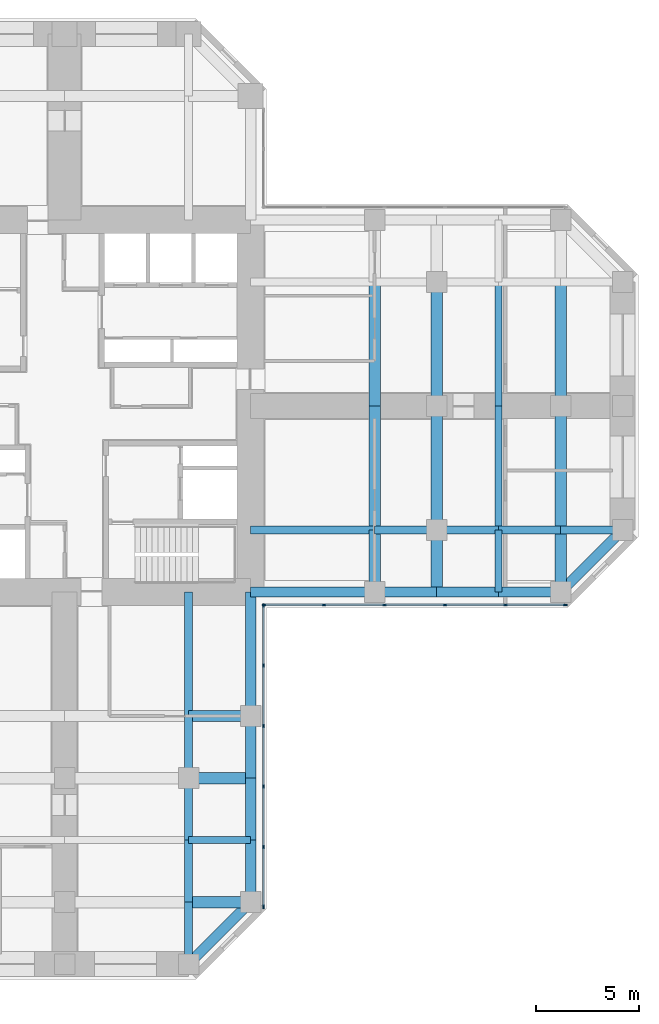
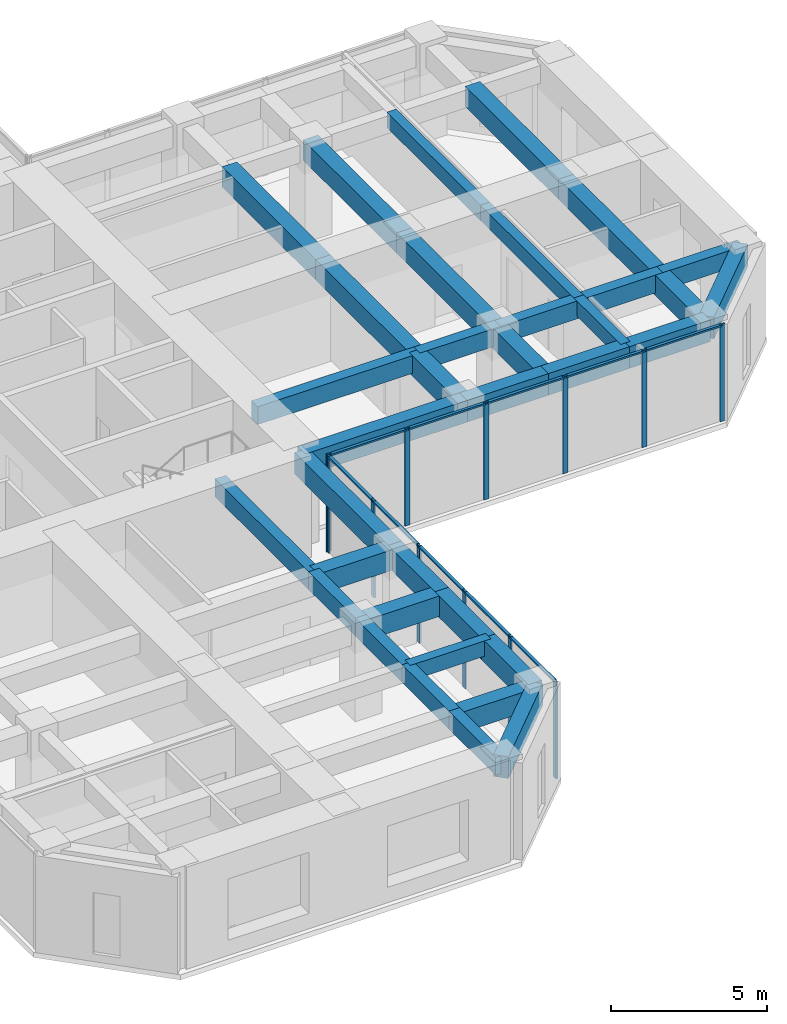
# One storey, part 4 of 12: 36 beams, 22 members, 2 elements without a shape of their own.
"""IFC4 building model written with IfcOpenShell, lengths in metres."""

from ifc_helpers import new_model, si_unit, direction, frame, origin, origin_2d, place, context, subcontext, project, spatial, rectangle, extrude, material, material_profile, profile_set, type_object, element, aggregate, save


model = new_model("IFC4")

# Units and contexts
model_context = context("Model", 3, precision=1e-05, world=origin(), true_north=direction((0.0, 1.0)))
body_context = subcontext(model_context, "Body", "Model", "MODEL_VIEW")
ifc_project = project(units=[si_unit("LENGTHUNIT", "METRE"), si_unit("AREAUNIT", "SQUARE_METRE"), si_unit("VOLUMEUNIT", "CUBIC_METRE"), si_unit("PLANEANGLEUNIT", "RADIAN"), si_unit("MASSUNIT", "GRAM", prefix="KILO")], contexts=[model_context])

# Site, building, storey
site_placement = place(None, origin())
site = spatial("IfcSite", under=ifc_project, at=site_placement, CompositionType="ELEMENT")
building_placement = place(site_placement, origin())
building = spatial("IfcBuilding", under=site, at=building_placement, Name="Torre Cruceta", CompositionType="ELEMENT")
storey_placement = place(building_placement, frame((0.0, 0.0, 108.5)))
storey = spatial("IfcBuildingStorey", under=building, at=storey_placement, Name="L26", CompositionType="ELEMENT", Elevation=108.5)

# Beams
ifc_material_1 = material(Name="Concrete G60 (fck 60 MPa)", Category="concrete")
ifc_material_profile_1 = material_profile(ifc_material_1, rectangle(XDim=0.39990234375, YDim=0.699951171875, at=origin_2d()), Name="RC 400X700")
ifc_profile_set_1 = profile_set([ifc_material_profile_1], Name="Concrete G60 (fck 60 MPa)")
beam_type_1 = type_object("IfcBeamType", Name="COLUMN LINE BEAM RC 400X700", PredefinedType="BEAM", material=ifc_profile_set_1)
beam_1_placement = place(storey_placement, frame((9.0, -6.0, 3.449951171875), z_axis=(1.0, 0.0, 0.0), x_axis=(0.0, 1.0, 0.0)))
element("IfcBeam", 1, at=beam_1_placement, inside=storey, type_object=beam_type_1, Name="LB5 L26 E col- 1", PredefinedType="BEAM", context=body_context, shape_type="SweptSolid", body=[
    extrude(rectangle(XDim=0.39990234375, YDim=0.699951171875, at=origin_2d()), origin(), (0.0, 0.0, 1.0), 6.0),
])
for number, where, z_axis, x_axis, name in (
    (2, (15.0, -6.0, 3.449951171875), (1.0, 0.0, 0.0), (0.0, 1.0, 0.0), "LB5 L26 E col- 2"),
    (3, (18.0, -6.0, 3.449951171875), (1.0, 0.0, 0.0), (0.0, 1.0, 0.0), "LB5 L26 E col- 3"),
    (4, (21.0, -6.0, 3.449951171875), (1.0, 0.0, 0.0), (0.0, 1.0, 0.0), "LB5 L26 E col- 4"),
    (5, (24.0, -6.0, 3.449951171875), (1.0, 0.0, 0.0), (0.0, 1.0, 0.0), "LB5 L26 E col- 5"),
):
    element("IfcBeam", number, at=place(storey_placement, frame(where, z_axis=z_axis, x_axis=x_axis)), inside=storey, type_object=beam_type_1, Name=name, PredefinedType="BEAM", context=body_context, shape_type="SweptSolid", body=[
        extrude(rectangle(XDim=0.39990234375, YDim=0.699951171875, at=origin_2d()), origin(), (0.0, 0.0, 1.0), 3.0),
    ])
beam_2_placement = place(storey_placement, frame((6.0, -9.0, 3.449951171875), z_axis=(0.0, -1.0, 0.0), x_axis=(1.0, 0.0, 0.0)))
element("IfcBeam", 6, at=beam_2_placement, inside=storey, type_object=beam_type_1, Name="LB5 L26 S col+ 1", PredefinedType="BEAM", context=body_context, shape_type="SweptSolid", body=[
    extrude(rectangle(XDim=0.39990234375, YDim=0.699951171875, at=origin_2d()), origin(), (0.0, 0.0, 1.0), 6.0),
])
for number, where, z_axis, x_axis, name in (
    (7, (6.0, -15.0, 3.449951171875), (0.0, -1.0, 0.0), (1.0, 0.0, 0.0), "LB5 L26 S col+ 2"),
    (8, (6.0, -18.0, 3.449951171875), (0.0, -1.0, 0.0), (1.0, 0.0, 0.0), "LB5 L26 S col+ 3"),
    (9, (6.0, -21.0, 3.449951171875), (0.0, -1.0, 0.0), (1.0, 0.0, 0.0), "LB5 L26 S col+ 4"),
    (10, (6.0, -24.0, 3.449951171875), (0.0, -1.0, 0.0), (1.0, 0.0, 0.0), "LB5 L26 S col+ 5"),
):
    element("IfcBeam", number, at=place(storey_placement, frame(where, z_axis=z_axis, x_axis=x_axis)), inside=storey, type_object=beam_type_1, Name=name, PredefinedType="BEAM", context=body_context, shape_type="SweptSolid", body=[
        extrude(rectangle(XDim=0.39990234375, YDim=0.699951171875, at=origin_2d()), origin(), (0.0, 0.0, 1.0), 3.0),
    ])
ifc_material_2 = material(Name="Concrete G60 (fck 60 MPa)", Category="concrete")
ifc_material_profile_2 = material_profile(ifc_material_2, rectangle(XDim=0.550048828125, YDim=0.800048828125, at=origin_2d()), Name="RC 550X800")
ifc_profile_set_2 = profile_set([ifc_material_profile_2], Name="Concrete G60 (fck 60 MPa)")
beam_type_2 = type_object("IfcBeamType", Name="CROSS BEAM RC 550X800", PredefinedType="BEAM", material=ifc_profile_set_2)
beam_3_placement = place(storey_placement, frame((15.0, -9.0, 3.39990234375), z_axis=(0.0, 1.0, 0.0), x_axis=(-1.0, 0.0, 0.0)))
element("IfcBeam", 11, at=beam_3_placement, inside=storey, type_object=beam_type_2, Name="GB5 L26 E cross15 1", PredefinedType="BEAM", context=body_context, shape_type="SweptSolid", body=[
    extrude(rectangle(XDim=0.550048828125, YDim=0.800048828125, at=origin_2d()), origin(), (0.0, 0.0, 1.0), 3.0),
])
for number, where, z_axis, x_axis, name in (
    (12, (15.0, -6.0, 3.39990234375), (0.0, 1.0, 0.0), (-1.0, 0.0, 0.0), "GB5 L26 E cross15 2"),
    (13, (15.0, 0.0, 3.39990234375), (0.0, 1.0, 0.0), (-1.0, 0.0, 0.0), "GB5 L26 E cross15 3"),
):
    element("IfcBeam", number, at=place(storey_placement, frame(where, z_axis=z_axis, x_axis=x_axis)), inside=storey, type_object=beam_type_2, Name=name, PredefinedType="BEAM", context=body_context, shape_type="SweptSolid", body=[
        extrude(rectangle(XDim=0.550048828125, YDim=0.800048828125, at=origin_2d()), origin(), (0.0, 0.0, 1.0), 6.0),
    ])
beam_4_placement = place(storey_placement, frame((18.0, -9.0, 3.39990234375), z_axis=(0.0, 1.0, 0.0), x_axis=(-1.0, 0.0, 0.0)))
element("IfcBeam", 14, at=beam_4_placement, inside=storey, type_object=beam_type_2, Name="GB5 L26 E cross18 1", PredefinedType="BEAM", context=body_context, shape_type="SweptSolid", body=[
    extrude(rectangle(XDim=0.550048828125, YDim=0.800048828125, at=origin_2d()), origin(), (0.0, 0.0, 1.0), 3.0),
])
for number, where, z_axis, x_axis, name in (
    (15, (18.0, -6.0, 3.39990234375), (0.0, 1.0, 0.0), (-1.0, 0.0, 0.0), "GB5 L26 E cross18 2"),
    (16, (18.0, 0.0, 3.39990234375), (0.0, 1.0, 0.0), (-1.0, 0.0, 0.0), "GB5 L26 E cross18 3"),
):
    element("IfcBeam", number, at=place(storey_placement, frame(where, z_axis=z_axis, x_axis=x_axis)), inside=storey, type_object=beam_type_2, Name=name, PredefinedType="BEAM", context=body_context, shape_type="SweptSolid", body=[
        extrude(rectangle(XDim=0.550048828125, YDim=0.800048828125, at=origin_2d()), origin(), (0.0, 0.0, 1.0), 6.0),
    ])
beam_5_placement = place(storey_placement, frame((24.0, -9.0, 3.39990234375), z_axis=(0.0, 1.0, 0.0), x_axis=(-1.0, 0.0, 0.0)))
element("IfcBeam", 17, at=beam_5_placement, inside=storey, type_object=beam_type_2, Name="GB5 L26 E cross24 1", PredefinedType="BEAM", context=body_context, shape_type="SweptSolid", body=[
    extrude(rectangle(XDim=0.550048828125, YDim=0.800048828125, at=origin_2d()), origin(), (0.0, 0.0, 1.0), 3.0),
])
for number, where, z_axis, x_axis, name in (
    (18, (24.0, -6.0, 3.39990234375), (0.0, 1.0, 0.0), (-1.0, 0.0, 0.0), "GB5 L26 E cross24 2"),
    (19, (24.0, 0.0, 3.39990234375), (0.0, 1.0, 0.0), (-1.0, 0.0, 0.0), "GB5 L26 E cross24 3"),
):
    element("IfcBeam", number, at=place(storey_placement, frame(where, z_axis=z_axis, x_axis=x_axis)), inside=storey, type_object=beam_type_2, Name=name, PredefinedType="BEAM", context=body_context, shape_type="SweptSolid", body=[
        extrude(rectangle(XDim=0.550048828125, YDim=0.800048828125, at=origin_2d()), origin(), (0.0, 0.0, 1.0), 6.0),
    ])
for number, where, z_axis, x_axis, name in (
    (20, (6.0, -15.0, 3.39990234375), (1.0, 0.0, 0.0), (0.0, 1.0, 0.0), "GB5 L26 S cross15 4"),
    (21, (6.0, -18.0, 3.39990234375), (1.0, 0.0, 0.0), (0.0, 1.0, 0.0), "GB5 L26 S cross18 4"),
    (22, (6.0, -24.0, 3.39990234375), (1.0, 0.0, 0.0), (0.0, 1.0, 0.0), "GB5 L26 S cross24 4"),
):
    element("IfcBeam", number, at=place(storey_placement, frame(where, z_axis=z_axis, x_axis=x_axis)), inside=storey, type_object=beam_type_2, Name=name, PredefinedType="BEAM", context=body_context, shape_type="SweptSolid", body=[
        extrude(rectangle(XDim=0.550048828125, YDim=0.800048828125, at=origin_2d()), origin(), (0.0, 0.0, 1.0), 3.0),
    ])

# Curtain wall, members
ifc_material_3 = material(Name="Aluminium unitised curtain wall", Category="aluminium")
curtain_wall_type = type_object("IfcCurtainWallType", Name="CURTAIN WALL CW-B OFFICE MID RISE", PredefinedType="USERDEFINED", material=ifc_material_3)
curtain_wall_1_placement = place(storey_placement, origin())
curtain_wall_1 = element("IfcCurtainWall", 23, at=curtain_wall_1_placement, inside=storey, type_object=curtain_wall_type, Name="CW-B L26 E side 00", ObjectType="UNITISED", PredefinedType="USERDEFINED")
ifc_material_4 = material(Name="Aluminium mullion", Category="aluminium")
ifc_material_profile_3 = material_profile(ifc_material_4, rectangle(XDim=0.06494140625, YDim=0.179931640625, at=origin_2d()), Name="AL 65X180")
ifc_profile_set_3 = profile_set([ifc_material_profile_3], Name="Aluminium mullion")
member_type_1 = type_object("IfcMemberType", Name="CW-B MULLION 65X180", PredefinedType="MULLION", material=ifc_profile_set_3)
member_1_placement = place(storey_placement, frame((9.652587890625, -9.6201171875, 0.0), z_axis=(0.0, 0.0, 1.0), x_axis=(0.0, 1.0, 0.0)))
member_1 = element("IfcMember", 24, at=member_1_placement, type_object=member_type_1, Name="CW-B mullion 1", PredefinedType="MULLION", context=body_context, shape_type="SweptSolid", body=[
    extrude(rectangle(XDim=0.06494140625, YDim=0.179931640625, at=origin_2d()), origin(), (0.0, 0.0, 1.0), 3.800048828125),
])
member_2_placement = place(storey_placement, frame((12.54736328125, -9.6201171875, 0.0), z_axis=(0.0, 0.0, 1.0), x_axis=(0.0, 1.0, 0.0)))
member_2 = element("IfcMember", 25, at=member_2_placement, type_object=member_type_1, Name="CW-B mullion 2", PredefinedType="MULLION", context=body_context, shape_type="SweptSolid", body=[
    extrude(rectangle(XDim=0.06494140625, YDim=0.179931640625, at=origin_2d()), origin(), (0.0, 0.0, 1.0), 3.800048828125),
])
member_3_placement = place(storey_placement, frame((15.474609375, -9.6201171875, 0.0), z_axis=(0.0, 0.0, 1.0), x_axis=(0.0, 1.0, 0.0)))
member_3 = element("IfcMember", 26, at=member_3_placement, type_object=member_type_1, Name="CW-B mullion 3", PredefinedType="MULLION", context=body_context, shape_type="SweptSolid", body=[
    extrude(rectangle(XDim=0.06494140625, YDim=0.179931640625, at=origin_2d()), origin(), (0.0, 0.0, 1.0), 3.800048828125),
])
member_4_placement = place(storey_placement, frame((18.402099609375, -9.6201171875, 0.0), z_axis=(0.0, 0.0, 1.0), x_axis=(0.0, 1.0, 0.0)))
member_4 = element("IfcMember", 27, at=member_4_placement, type_object=member_type_1, Name="CW-B mullion 4", PredefinedType="MULLION", context=body_context, shape_type="SweptSolid", body=[
    extrude(rectangle(XDim=0.06494140625, YDim=0.179931640625, at=origin_2d()), origin(), (0.0, 0.0, 1.0), 3.800048828125),
])
member_5_placement = place(storey_placement, frame((21.329345703125, -9.6201171875, 0.0), z_axis=(0.0, 0.0, 1.0), x_axis=(0.0, 1.0, 0.0)))
member_5 = element("IfcMember", 28, at=member_5_placement, type_object=member_type_1, Name="CW-B mullion 5", PredefinedType="MULLION", context=body_context, shape_type="SweptSolid", body=[
    extrude(rectangle(XDim=0.06494140625, YDim=0.179931640625, at=origin_2d()), origin(), (0.0, 0.0, 1.0), 3.800048828125),
])
member_6_placement = place(storey_placement, frame((24.224365234375, -9.6201171875, 0.0), z_axis=(0.0, 0.0, 1.0), x_axis=(0.0, 1.0, 0.0)))
member_6 = element("IfcMember", 29, at=member_6_placement, type_object=member_type_1, Name="CW-B mullion 6", PredefinedType="MULLION", context=body_context, shape_type="SweptSolid", body=[
    extrude(rectangle(XDim=0.06494140625, YDim=0.179931640625, at=origin_2d()), origin(), (0.0, 0.0, 1.0), 3.800048828125),
])

curtain_wall_2_placement = place(storey_placement, origin())
curtain_wall_2 = element("IfcCurtainWall", 30, at=curtain_wall_2_placement, inside=storey, type_object=curtain_wall_type, Name="CW-B L26 S side 19", ObjectType="UNITISED", PredefinedType="USERDEFINED")
member_7_placement = place(storey_placement, frame((9.6201171875, -24.224365234375, 0.0), z_axis=(0.0, 0.0, 1.0), x_axis=(-1.0, 0.0, 0.0)))
member_7 = element("IfcMember", 31, at=member_7_placement, type_object=member_type_1, Name="CW-B mullion 1", PredefinedType="MULLION", context=body_context, shape_type="SweptSolid", body=[
    extrude(rectangle(XDim=0.06494140625, YDim=0.179931640625, at=origin_2d()), origin(), (0.0, 0.0, 1.0), 3.800048828125),
])
member_8_placement = place(storey_placement, frame((9.6201171875, -21.329345703125, 0.0), z_axis=(0.0, 0.0, 1.0), x_axis=(-1.0, 0.0, 0.0)))
member_8 = element("IfcMember", 32, at=member_8_placement, type_object=member_type_1, Name="CW-B mullion 2", PredefinedType="MULLION", context=body_context, shape_type="SweptSolid", body=[
    extrude(rectangle(XDim=0.06494140625, YDim=0.179931640625, at=origin_2d()), origin(), (0.0, 0.0, 1.0), 3.800048828125),
])
member_9_placement = place(storey_placement, frame((9.6201171875, -18.402099609375, 0.0), z_axis=(0.0, 0.0, 1.0), x_axis=(-1.0, 0.0, 0.0)))
member_9 = element("IfcMember", 33, at=member_9_placement, type_object=member_type_1, Name="CW-B mullion 3", PredefinedType="MULLION", context=body_context, shape_type="SweptSolid", body=[
    extrude(rectangle(XDim=0.06494140625, YDim=0.179931640625, at=origin_2d()), origin(), (0.0, 0.0, 1.0), 3.800048828125),
])
member_10_placement = place(storey_placement, frame((9.6201171875, -15.474609375, 0.0), z_axis=(0.0, 0.0, 1.0), x_axis=(-1.0, 0.0, 0.0)))
member_10 = element("IfcMember", 34, at=member_10_placement, type_object=member_type_1, Name="CW-B mullion 4", PredefinedType="MULLION", context=body_context, shape_type="SweptSolid", body=[
    extrude(rectangle(XDim=0.06494140625, YDim=0.179931640625, at=origin_2d()), origin(), (0.0, 0.0, 1.0), 3.800048828125),
])
member_11_placement = place(storey_placement, frame((9.6201171875, -12.54736328125, 0.0), z_axis=(0.0, 0.0, 1.0), x_axis=(-1.0, 0.0, 0.0)))
member_11 = element("IfcMember", 35, at=member_11_placement, type_object=member_type_1, Name="CW-B mullion 5", PredefinedType="MULLION", context=body_context, shape_type="SweptSolid", body=[
    extrude(rectangle(XDim=0.06494140625, YDim=0.179931640625, at=origin_2d()), origin(), (0.0, 0.0, 1.0), 3.800048828125),
])
member_12_placement = place(storey_placement, frame((9.6201171875, -9.652587890625, 0.0), z_axis=(0.0, 0.0, 1.0), x_axis=(-1.0, 0.0, 0.0)))
member_12 = element("IfcMember", 36, at=member_12_placement, type_object=member_type_1, Name="CW-B mullion 6", PredefinedType="MULLION", context=body_context, shape_type="SweptSolid", body=[
    extrude(rectangle(XDim=0.06494140625, YDim=0.179931640625, at=origin_2d()), origin(), (0.0, 0.0, 1.0), 3.800048828125),
])

# Member
ifc_material_5 = material(Name="Aluminium transom", Category="aluminium")
ifc_material_profile_4 = material_profile(ifc_material_5, rectangle(XDim=0.110107421875, YDim=0.06494140625, at=origin_2d()), Name="AL 110X65")
ifc_profile_set_4 = profile_set([ifc_material_profile_4], Name="Aluminium transom")
member_type_2 = type_object("IfcMemberType", Name="CW-B TRANSOM 65X110", PredefinedType="USERDEFINED", material=ifc_profile_set_4)
member_13_placement = place(storey_placement, frame((9.68505859375, -9.6201171875, 3.767578125), z_axis=(1.0, 0.0, 0.0), x_axis=(0.0, 1.0, 0.0)))
member_13 = element("IfcMember", 37, at=member_13_placement, type_object=member_type_2, Name="CW-B transom 1", ObjectType="TRANSOM", PredefinedType="USERDEFINED", context=body_context, shape_type="SweptSolid", body=[
    extrude(rectangle(XDim=0.110107421875, YDim=0.06494140625, at=origin_2d()), origin(), (0.0, 0.0, 1.0), 2.829833984375),
])

member_14_placement = place(storey_placement, frame((12.579833984375, -9.6201171875, 3.767578125), z_axis=(1.0, 0.0, 0.0), x_axis=(0.0, 1.0, 0.0)))
member_14 = element("IfcMember", 38, at=member_14_placement, type_object=member_type_2, Name="CW-B transom 2", ObjectType="TRANSOM", PredefinedType="USERDEFINED", context=body_context, shape_type="SweptSolid", body=[
    extrude(rectangle(XDim=0.110107421875, YDim=0.06494140625, at=origin_2d()), origin(), (0.0, 0.0, 1.0), 2.8623046875),
])

member_15_placement = place(storey_placement, frame((15.50732421875, -9.6201171875, 3.767578125), z_axis=(1.0, 0.0, 0.0), x_axis=(0.0, 1.0, 0.0)))
member_15 = element("IfcMember", 39, at=member_15_placement, type_object=member_type_2, Name="CW-B transom 3", ObjectType="TRANSOM", PredefinedType="USERDEFINED", context=body_context, shape_type="SweptSolid", body=[
    extrude(rectangle(XDim=0.110107421875, YDim=0.06494140625, at=origin_2d()), origin(), (0.0, 0.0, 1.0), 2.8623046875),
])

member_16_placement = place(storey_placement, frame((18.4345703125, -9.6201171875, 3.767578125), z_axis=(1.0, 0.0, 0.0), x_axis=(0.0, 1.0, 0.0)))
member_16 = element("IfcMember", 40, at=member_16_placement, type_object=member_type_2, Name="CW-B transom 4", ObjectType="TRANSOM", PredefinedType="USERDEFINED", context=body_context, shape_type="SweptSolid", body=[
    extrude(rectangle(XDim=0.110107421875, YDim=0.06494140625, at=origin_2d()), origin(), (0.0, 0.0, 1.0), 2.8623046875),
])

member_17_placement = place(storey_placement, frame((21.362060546875, -9.6201171875, 3.767578125), z_axis=(1.0, 0.0, 0.0), x_axis=(0.0, 1.0, 0.0)))
member_17 = element("IfcMember", 41, at=member_17_placement, type_object=member_type_2, Name="CW-B transom 5", ObjectType="TRANSOM", PredefinedType="USERDEFINED", context=body_context, shape_type="SweptSolid", body=[
    extrude(rectangle(XDim=0.110107421875, YDim=0.06494140625, at=origin_2d()), origin(), (0.0, 0.0, 1.0), 2.829833984375),
])

aggregate(curtain_wall_1, [member_1, member_2, member_3, member_4, member_5, member_6, member_13, member_14, member_15, member_16, member_17])

member_18_placement = place(storey_placement, frame((9.6201171875, -24.19189453125, 3.767578125), z_axis=(0.0, 1.0, 0.0), x_axis=(-1.0, 0.0, 0.0)))
member_18 = element("IfcMember", 42, at=member_18_placement, type_object=member_type_2, Name="CW-B transom 1", ObjectType="TRANSOM", PredefinedType="USERDEFINED", context=body_context, shape_type="SweptSolid", body=[
    extrude(rectangle(XDim=0.110107421875, YDim=0.06494140625, at=origin_2d()), origin(), (0.0, 0.0, 1.0), 2.829833984375),
])

member_19_placement = place(storey_placement, frame((9.6201171875, -21.296875, 3.767578125), z_axis=(0.0, 1.0, 0.0), x_axis=(-1.0, 0.0, 0.0)))
member_19 = element("IfcMember", 43, at=member_19_placement, type_object=member_type_2, Name="CW-B transom 2", ObjectType="TRANSOM", PredefinedType="USERDEFINED", context=body_context, shape_type="SweptSolid", body=[
    extrude(rectangle(XDim=0.110107421875, YDim=0.06494140625, at=origin_2d()), origin(), (0.0, 0.0, 1.0), 2.8623046875),
])

member_20_placement = place(storey_placement, frame((9.6201171875, -18.36962890625, 3.767578125), z_axis=(0.0, 1.0, 0.0), x_axis=(-1.0, 0.0, 0.0)))
member_20 = element("IfcMember", 44, at=member_20_placement, type_object=member_type_2, Name="CW-B transom 3", ObjectType="TRANSOM", PredefinedType="USERDEFINED", context=body_context, shape_type="SweptSolid", body=[
    extrude(rectangle(XDim=0.110107421875, YDim=0.06494140625, at=origin_2d()), origin(), (0.0, 0.0, 1.0), 2.8623046875),
])

member_21_placement = place(storey_placement, frame((9.6201171875, -15.442138671875, 3.767578125), z_axis=(0.0, 1.0, 0.0), x_axis=(-1.0, 0.0, 0.0)))
member_21 = element("IfcMember", 45, at=member_21_placement, type_object=member_type_2, Name="CW-B transom 4", ObjectType="TRANSOM", PredefinedType="USERDEFINED", context=body_context, shape_type="SweptSolid", body=[
    extrude(rectangle(XDim=0.110107421875, YDim=0.06494140625, at=origin_2d()), origin(), (0.0, 0.0, 1.0), 2.8623046875),
])

member_22_placement = place(storey_placement, frame((9.6201171875, -12.514892578125, 3.767578125), z_axis=(0.0, 1.0, 0.0), x_axis=(-1.0, 0.0, 0.0)))
member_22 = element("IfcMember", 46, at=member_22_placement, type_object=member_type_2, Name="CW-B transom 5", ObjectType="TRANSOM", PredefinedType="USERDEFINED", context=body_context, shape_type="SweptSolid", body=[
    extrude(rectangle(XDim=0.110107421875, YDim=0.06494140625, at=origin_2d()), origin(), (0.0, 0.0, 1.0), 2.829833984375),
])

aggregate(curtain_wall_2, [member_7, member_8, member_9, member_10, member_11, member_12, member_18, member_19, member_20, member_21, member_22])

# Beams
ifc_material_6 = material(Name="Concrete G60 (fck 60 MPa)", Category="concrete")
ifc_material_profile_5 = material_profile(ifc_material_6, rectangle(XDim=0.35009765625, YDim=0.60009765625, at=origin_2d()), Name="RC 350X600")
ifc_profile_set_5 = profile_set([ifc_material_profile_5], Name="Concrete G60 (fck 60 MPa)")
beam_type_3 = type_object("IfcBeamType", Name="SECONDARY BEAM RC 350X600", PredefinedType="JOIST", material=ifc_profile_set_5)
beam_6_placement = place(storey_placement, frame((21.0, -9.0, 3.5), z_axis=(0.0, 1.0, 0.0), x_axis=(-1.0, 0.0, 0.0)))
element("IfcBeam", 47, at=beam_6_placement, inside=storey, type_object=beam_type_3, Name="JB5 L26 E sec21 1", PredefinedType="JOIST", context=body_context, shape_type="SweptSolid", body=[
    extrude(rectangle(XDim=0.35009765625, YDim=0.60009765625, at=origin_2d()), origin(), (0.0, 0.0, 1.0), 3.0),
])
for number, where, z_axis, x_axis, name in (
    (48, (21.0, -6.0, 3.5), (0.0, 1.0, 0.0), (-1.0, 0.0, 0.0), "JB5 L26 E sec21 2"),
    (49, (21.0, 0.0, 3.5), (0.0, 1.0, 0.0), (-1.0, 0.0, 0.0), "JB5 L26 E sec21 3"),
):
    element("IfcBeam", number, at=place(storey_placement, frame(where, z_axis=z_axis, x_axis=x_axis)), inside=storey, type_object=beam_type_3, Name=name, PredefinedType="JOIST", context=body_context, shape_type="SweptSolid", body=[
        extrude(rectangle(XDim=0.35009765625, YDim=0.60009765625, at=origin_2d()), origin(), (0.0, 0.0, 1.0), 6.0),
    ])
beam_7_placement = place(storey_placement, frame((6.0, -21.0, 3.5), z_axis=(1.0, 0.0, 0.0), x_axis=(0.0, 1.0, 0.0)))
element("IfcBeam", 50, at=beam_7_placement, inside=storey, type_object=beam_type_3, Name="JB5 L26 S sec21 4", PredefinedType="JOIST", context=body_context, shape_type="SweptSolid", body=[
    extrude(rectangle(XDim=0.35009765625, YDim=0.60009765625, at=origin_2d()), origin(), (0.0, 0.0, 1.0), 3.0),
])
ifc_material_7 = material(Name="Concrete G60 (fck 60 MPa)", Category="concrete")
ifc_material_profile_6 = material_profile(ifc_material_7, rectangle(XDim=0.5, YDim=0.85009765625, at=origin_2d()), Name="RC 500X850")
ifc_profile_set_6 = profile_set([ifc_material_profile_6], Name="Concrete G60 (fck 60 MPa)")
beam_type_4 = type_object("IfcBeamType", Name="SPANDREL BEAM RC 500X850", PredefinedType="SPANDREL", material=ifc_profile_set_6)
beam_8_placement = place(storey_placement, frame((9.0, -9.0, 3.375), z_axis=(1.0, 0.0, 0.0), x_axis=(0.0, 1.0, 0.0)))
element("IfcBeam", 51, at=beam_8_placement, inside=storey, type_object=beam_type_4, Name="SB5 L26 E side- 1", PredefinedType="SPANDREL", context=body_context, shape_type="SweptSolid", body=[
    extrude(rectangle(XDim=0.5, YDim=0.85009765625, at=origin_2d()), origin(), (0.0, 0.0, 1.0), 6.0),
])
for number, where, z_axis, x_axis, name in (
    (52, (15.0, -9.0, 3.375), (1.0, 0.0, 0.0), (0.0, 1.0, 0.0), "SB5 L26 E side- 2"),
    (53, (18.0, -9.0, 3.375), (1.0, 0.0, 0.0), (0.0, 1.0, 0.0), "SB5 L26 E side- 3"),
    (54, (21.0, -9.0, 3.375), (1.0, 0.0, 0.0), (0.0, 1.0, 0.0), "SB5 L26 E side- 4"),
):
    element("IfcBeam", number, at=place(storey_placement, frame(where, z_axis=z_axis, x_axis=x_axis)), inside=storey, type_object=beam_type_4, Name=name, PredefinedType="SPANDREL", context=body_context, shape_type="SweptSolid", body=[
        extrude(rectangle(XDim=0.5, YDim=0.85009765625, at=origin_2d()), origin(), (0.0, 0.0, 1.0), 3.0),
    ])
beam_9_placement = place(storey_placement, frame((24.0, -9.0, 3.375), z_axis=(0.707106781187, 0.707106781187, 0.0), x_axis=(-0.707106781187, 0.707106781187, 0.0)))
element("IfcBeam", 55, at=beam_9_placement, inside=storey, type_object=beam_type_4, Name="SB5 L26 E side- 5", PredefinedType="SPANDREL", context=body_context, shape_type="SweptSolid", body=[
    extrude(rectangle(XDim=0.5, YDim=0.85009765625, at=origin_2d()), origin(), (0.0, 0.0, 1.0), 4.24267578125),
])
beam_10_placement = place(storey_placement, frame((9.0, -9.0, 3.375), z_axis=(0.0, -1.0, 0.0), x_axis=(1.0, 0.0, 0.0)))
element("IfcBeam", 56, at=beam_10_placement, inside=storey, type_object=beam_type_4, Name="SB5 L26 S side+ 1", PredefinedType="SPANDREL", context=body_context, shape_type="SweptSolid", body=[
    extrude(rectangle(XDim=0.5, YDim=0.85009765625, at=origin_2d()), origin(), (0.0, 0.0, 1.0), 6.0),
])
for number, where, z_axis, x_axis, name in (
    (57, (9.0, -15.0, 3.375), (0.0, -1.0, 0.0), (1.0, 0.0, 0.0), "SB5 L26 S side+ 2"),
    (58, (9.0, -18.0, 3.375), (0.0, -1.0, 0.0), (1.0, 0.0, 0.0), "SB5 L26 S side+ 3"),
    (59, (9.0, -21.0, 3.375), (0.0, -1.0, 0.0), (1.0, 0.0, 0.0), "SB5 L26 S side+ 4"),
):
    element("IfcBeam", number, at=place(storey_placement, frame(where, z_axis=z_axis, x_axis=x_axis)), inside=storey, type_object=beam_type_4, Name=name, PredefinedType="SPANDREL", context=body_context, shape_type="SweptSolid", body=[
        extrude(rectangle(XDim=0.5, YDim=0.85009765625, at=origin_2d()), origin(), (0.0, 0.0, 1.0), 3.0),
    ])
beam_11_placement = place(storey_placement, frame((9.0, -24.0, 3.375), z_axis=(-0.707106781187, -0.707106781187, 0.0), x_axis=(0.707106781187, -0.707106781187, 0.0)))
element("IfcBeam", 60, at=beam_11_placement, inside=storey, type_object=beam_type_4, Name="SB5 L26 S side+ 5", PredefinedType="SPANDREL", context=body_context, shape_type="SweptSolid", body=[
    extrude(rectangle(XDim=0.5, YDim=0.85009765625, at=origin_2d()), origin(), (0.0, 0.0, 1.0), 4.24267578125),
])

save(model, "model.ifc")
